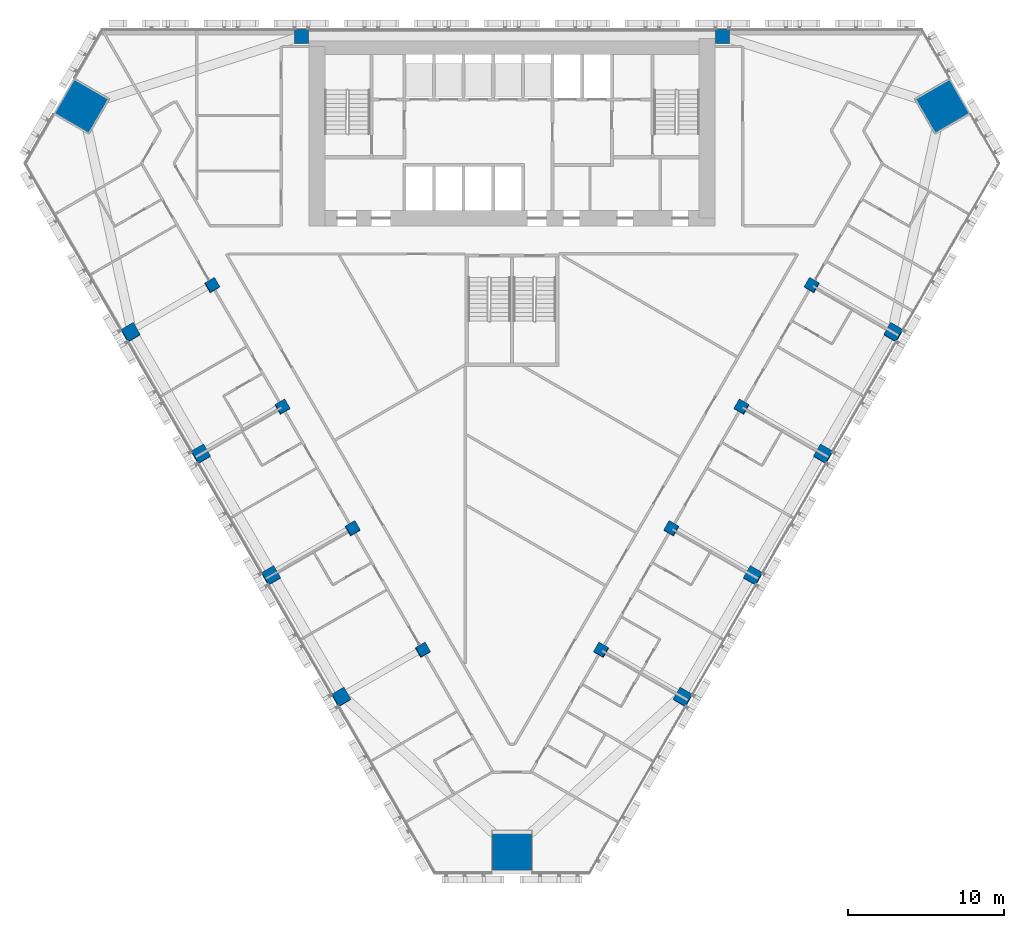
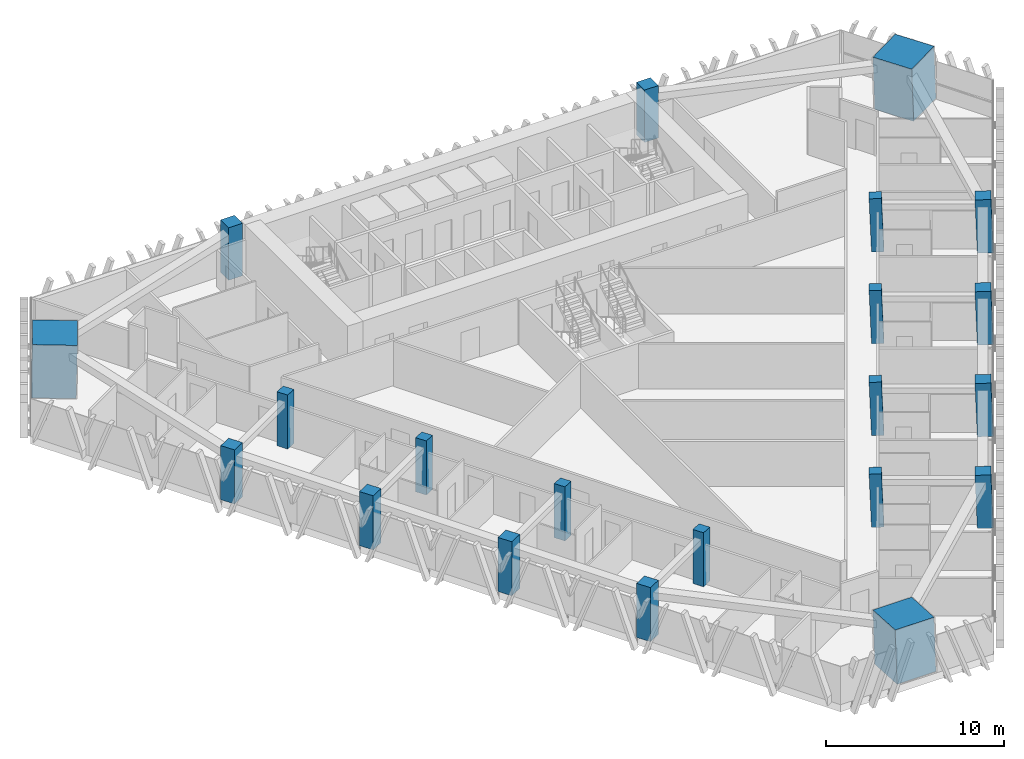
# One storey, part 1 of 17: 21 columns.
"""IFC4 building model written with IfcOpenShell, lengths in metres."""

from ifc_helpers import new_model, si_unit, direction, frame, origin, origin_2d, place, context, subcontext, project, spatial, rectangle, extrude, material, material_profile, profile_set, type_object, element, save


model = new_model("IFC4")

# Units and contexts
model_context = context("Model", 3, precision=1e-05, world=origin(), true_north=direction((0.0, 1.0)))
body_context = subcontext(model_context, "Body", "Model", "MODEL_VIEW")
ifc_project = project(units=[si_unit("LENGTHUNIT", "METRE"), si_unit("AREAUNIT", "SQUARE_METRE"), si_unit("VOLUMEUNIT", "CUBIC_METRE"), si_unit("PLANEANGLEUNIT", "RADIAN"), si_unit("MASSUNIT", "GRAM", prefix="KILO")], contexts=[model_context])

# Site, building, storey
site_placement = place(None, origin())
site = spatial("IfcSite", under=ifc_project, at=site_placement, CompositionType="ELEMENT")
building_placement = place(site_placement, origin())
building = spatial("IfcBuilding", under=site, at=building_placement, Name="Altiplano Prism Tower", CompositionType="ELEMENT")
storey_placement = place(building_placement, frame((0.0, 0.0, 30.60009765625)))
storey = spatial("IfcBuildingStorey", under=building, at=storey_placement, Name="L06", CompositionType="ELEMENT", Elevation=30.60009765625)

# Columns
ifc_material_1 = material(Name="Concrete C60/75", Category="concrete")
ifc_material_profile_1 = material_profile(ifc_material_1, rectangle(XDim=0.699951171875, YDim=0.699951171875, at=origin_2d()), Name="Inner column 700")
ifc_profile_set_1 = profile_set([ifc_material_profile_1], Name="Concrete C60/75")
column_type_1 = type_object("IfcColumnType", Name="Inner column 700", PredefinedType="COLUMN", material=ifc_profile_set_1)
for number, where, z_axis, x_axis, name in (
    (1, (65.772216796875, 88.5791015625, -0.021240234375), (0.02215519141, 0.038415882353, 0.999016199807), (-0.865361939077, -0.499673629592, 0.038405446053), "Inner column I11 L06"),
    (2, (70.272216796875, 80.784912109375, -0.021240234375), (0.02215519141, 0.038415882353, 0.999016199807), (-0.865361939077, -0.499673629592, 0.038405446053), "Inner column I12 L06"),
    (3, (74.772216796875, 72.99072265625, -0.021240234375), (0.02215519141, 0.038415882353, 0.999016199807), (-0.865361939077, -0.499673629592, 0.038405446053), "Inner column I13 L06"),
    (4, (79.272216796875, 65.1962890625, -0.021240234375), (0.022155133694, 0.038483534979, 0.999013597298), (-0.864979679845, -0.500331165571, 0.038456185646), "Inner column I14 L06"),
    (5, (90.727783203125, 65.1962890625, -0.021240234375), (-0.022155133694, 0.038483534979, 0.999013597298), (-0.501317567522, -0.864978463486, 0.022202571901), "Inner column I21 L06"),
    (6, (95.227783203125, 72.99072265625, -0.021240234375), (-0.02215519141, 0.038415882353, 0.999016199807), (-0.500657429676, -0.865361475843, 0.022173277538), "Inner column I22 L06"),
    (7, (99.727783203125, 80.784912109375, -0.021240234375), (-0.02215519141, 0.038415882353, 0.999016199807), (-0.500657429676, -0.865361475843, 0.022173277538), "Inner column I23 L06"),
    (8, (104.227783203125, 88.5791015625, -0.021240234375), (-0.02215519141, 0.038415882353, 0.999016199807), (-0.500657429676, -0.865361475843, 0.022173277538), "Inner column I24 L06"),
):
    element("IfcColumn", number, at=place(storey_placement, frame(where, z_axis=z_axis, x_axis=x_axis)), inside=storey, type_object=column_type_1, Name=name, PredefinedType="COLUMN", context=body_context, shape_type="SweptSolid", body=[
        extrude(rectangle(XDim=0.699951171875, YDim=0.699951171875, at=origin_2d()), origin(), (0.0, 0.0, 1.0), 3.603515625),
    ])
ifc_material_2 = material(Name="Concrete C70/85", Category="concrete")
ifc_material_profile_2 = material_profile(ifc_material_2, rectangle(XDim=2.52001953125, YDim=2.52001953125, at=origin_2d()), Name="Mega column infill 2600")
ifc_profile_set_2 = profile_set([ifc_material_profile_2], Name="Concrete C70/85")
column_type_2 = type_object("IfcColumnType", Name="Mega column infill 2600", PredefinedType="COLUMN", material=ifc_profile_set_2)
column_1_placement = place(storey_placement, frame((57.35498046875, 100.05322265625, 0.0), z_axis=(0.028403739082, 0.009219352065, 0.999554016126), x_axis=(-0.865122960307, 0.501162461288, 0.019961236055)))
element("IfcColumn", 9, at=column_1_placement, inside=storey, type_object=column_type_2, Name="Mega column M0 L06", PredefinedType="COLUMN", context=body_context, shape_type="SweptSolid", body=[
    extrude(rectangle(XDim=2.52001953125, YDim=2.52001953125, at=origin_2d()), origin(), (0.0, 0.0, 1.0), 3.6015625),
])
column_2_placement = place(storey_placement, frame((85.0, 52.170654296875, 0.0), z_axis=(0.0, 0.058360852261, 0.998295552892), x_axis=(-1.0, 0.0, 0.0)))
element("IfcColumn", 10, at=column_2_placement, inside=storey, type_object=column_type_2, Name="Mega column M1 L06", PredefinedType="COLUMN", context=body_context, shape_type="SweptSolid", body=[
    extrude(rectangle(XDim=2.52001953125, YDim=2.52001953125, at=origin_2d()), origin(), (0.0, 0.0, 1.0), 3.60595703125),
])
column_3_placement = place(storey_placement, frame((112.64501953125, 100.05322265625, 0.0), z_axis=(-0.028403739082, 0.009219352065, 0.999554016126), x_axis=(0.500759903992, -0.865301216656, 0.022210875906)))
element("IfcColumn", 11, at=column_3_placement, inside=storey, type_object=column_type_2, Name="Mega column M2 L06", PredefinedType="COLUMN", context=body_context, shape_type="SweptSolid", body=[
    extrude(rectangle(XDim=2.52001953125, YDim=2.52001953125, at=origin_2d()), origin(), (0.0, 0.0, 1.0), 3.6015625),
])
ifc_material_profile_3 = material_profile(ifc_material_1, rectangle(XDim=0.89990234375, YDim=0.89990234375, at=origin_2d()), Name="Perimeter column 900")
ifc_profile_set_3 = profile_set([ifc_material_profile_3], Name="Concrete C60/75")
column_type_3 = type_object("IfcColumnType", Name="Perimeter column 900", PredefinedType="COLUMN", material=ifc_profile_set_3)
for number, where, z_axis, x_axis, name in (
    (12, (98.5, 104.550048828125, 0.0), (0.0, 0.0, 1.0), (1.0, 0.0, 0.0), "Perimeter column P01 L06"),
    (13, (71.5, 104.550048828125, 0.0), (0.0, 0.0, 1.0), (1.0, 0.0, 0.0), "Perimeter column P04 L06"),
):
    element("IfcColumn", number, at=place(storey_placement, frame(where, z_axis=z_axis, x_axis=x_axis)), inside=storey, type_object=column_type_3, Name=name, PredefinedType="COLUMN", context=body_context, shape_type="SweptSolid", body=[
        extrude(rectangle(XDim=0.89990234375, YDim=0.89990234375, at=origin_2d()), origin(), (0.0, 0.0, 1.0), 3.599853515625),
    ])
for number, where, z_axis, x_axis, name in (
    (14, (60.532470703125, 85.553955078125, -0.02734375), (0.022222910879, 0.038415824599, 0.999014697916), (-0.866021331072, -0.498527657424, 0.038434735731), "Perimeter column P11 L06"),
    (15, (65.032470703125, 77.759521484375, -0.02734375), (0.022222852987, 0.038483477124, 0.999012095419), (-0.865639360837, -0.499186706709, 0.038485436403), "Perimeter column P12 L06"),
    (16, (69.532470703125, 69.96533203125, -0.02734375), (0.022222852987, 0.038483477124, 0.999012095419), (-0.865639360837, -0.499186706709, 0.038485436403), "Perimeter column P13 L06"),
    (17, (74.032470703125, 62.171142578125, -0.02734375), (0.022222852987, 0.038483477124, 0.999012095419), (-0.865639360837, -0.499186706709, 0.038485436403), "Perimeter column P14 L06"),
    (18, (95.967529296875, 62.171142578125, -0.02734375), (-0.022222852987, 0.038483477124, 0.999012095419), (-0.500174611287, -0.865639447942, 0.022219459744), "Perimeter column P21 L06"),
    (19, (100.467529296875, 69.96533203125, -0.02734375), (-0.022222852987, 0.038483477124, 0.999012095419), (-0.500174611287, -0.865639447942, 0.022219459744), "Perimeter column P22 L06"),
    (20, (104.967529296875, 77.759521484375, -0.02734375), (-0.022222852987, 0.038483477124, 0.999012095419), (-0.500174611287, -0.865639447942, 0.022219459744), "Perimeter column P23 L06"),
    (21, (109.467529296875, 85.553955078125, -0.02734375), (-0.022222910879, 0.038415824599, 0.999014697916), (-0.499512959151, -0.866022170157, 0.022190187852), "Perimeter column P24 L06"),
):
    element("IfcColumn", number, at=place(storey_placement, frame(where, z_axis=z_axis, x_axis=x_axis)), inside=storey, type_object=column_type_3, Name=name, PredefinedType="COLUMN", context=body_context, shape_type="SweptSolid", body=[
        extrude(rectangle(XDim=0.89990234375, YDim=0.89990234375, at=origin_2d()), origin(), (0.0, 0.0, 1.0), 3.603515625),
    ])

save(model, "model.ifc")
